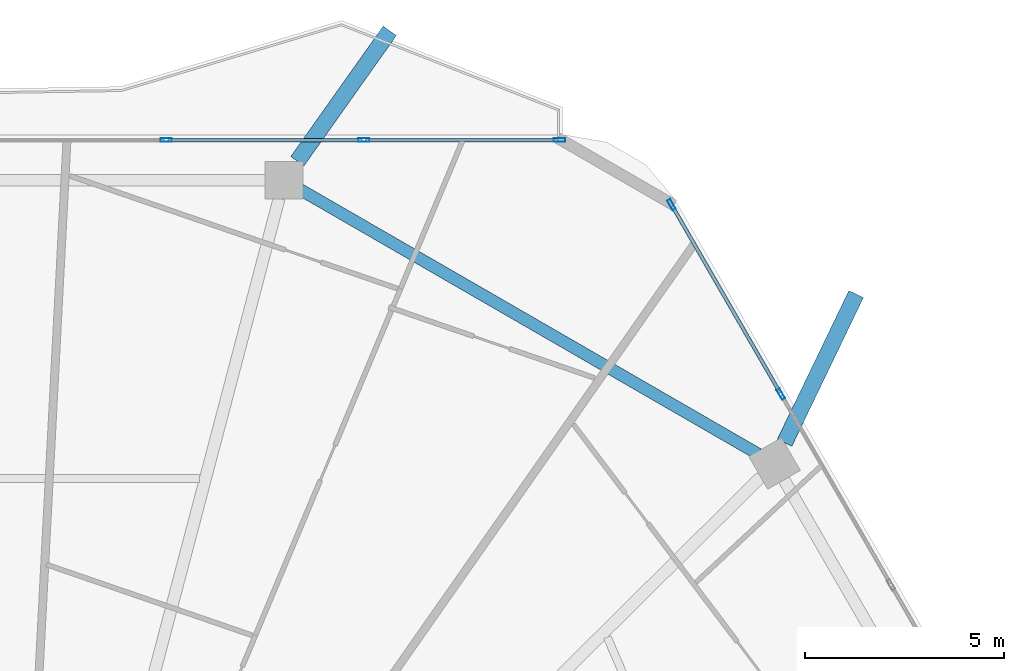
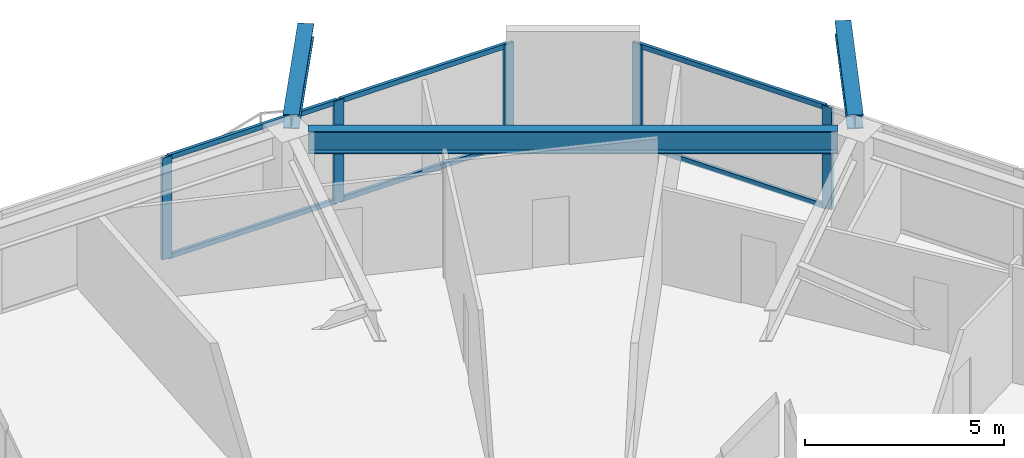
# One storey, part 17 of 27: 11 members, 3 beams, 2 elements without a shape of their own.
"""IFC4 building model written with IfcOpenShell, lengths in metres."""

from ifc_helpers import new_model, si_unit, direction, frame, origin, origin_2d, place, context, subcontext, project, spatial, hollow_rectangle, i_section, extrude, material, material_profile, profile_set, type_object, element, aggregate, save


model = new_model("IFC4")

# Units and contexts
model_context = context("Model", 3, precision=1e-05, world=origin(), true_north=direction((0.0, 1.0)))
body_context = subcontext(model_context, "Body", "Model", "MODEL_VIEW")
ifc_project = project(units=[si_unit("LENGTHUNIT", "METRE"), si_unit("AREAUNIT", "SQUARE_METRE"), si_unit("VOLUMEUNIT", "CUBIC_METRE"), si_unit("PLANEANGLEUNIT", "RADIAN"), si_unit("MASSUNIT", "GRAM", prefix="KILO")], contexts=[model_context])

# Site, building, storey
site_placement = place(None, origin())
site = spatial("IfcSite", under=ifc_project, at=site_placement, CompositionType="ELEMENT")
building_placement = place(site_placement, origin())
building = spatial("IfcBuilding", under=site, at=building_placement, Name="Zuhravey Tower", CompositionType="ELEMENT")
storey_placement = place(building_placement, frame((0.0, 0.0, 218.800048828125)))
storey = spatial("IfcBuildingStorey", under=building, at=storey_placement, Name="L55", CompositionType="ELEMENT", Elevation=218.800048828125)

# Curtain wall, members
ifc_material_1 = material(Name="Thermally broken anodised aluminium", Category="aluminium")
curtain_wall_type = type_object("IfcCurtainWallType", Name="Zone 1-2 Residential Curtain Wall CW3", PredefinedType="NOTDEFINED", material=ifc_material_1)
curtain_wall_1_placement = place(storey_placement, origin())
curtain_wall_1 = element("IfcCurtainWall", 1, at=curtain_wall_1_placement, inside=storey, type_object=curtain_wall_type, Name="L55 CW3 CW-L55-F2-2", PredefinedType="NOTDEFINED")
ifc_material_2 = material(Name="Anodised aluminium", Category="aluminium")
ifc_material_profile_1 = material_profile(ifc_material_2, hollow_rectangle(XDim=0.090087890625, YDim=0.284912109375, WallThickness=0.0048828125, at=origin_2d()), Name="ALU-RHS-90x285x5")
ifc_profile_set_1 = profile_set([ifc_material_profile_1], Name="Anodised aluminium")
member_type_1 = type_object("IfcMemberType", Name="Curtain-Wall Mullion 90x180", PredefinedType="MULLION", material=ifc_profile_set_1)
member_1_placement = place(storey_placement, frame((39.921630859375, 59.18310546875, 0.0), z_axis=(0.0, 0.0, 1.0), x_axis=(0.0, 1.0, 0.0)))
member_1 = element("IfcMember", 2, at=member_1_placement, type_object=member_type_1, Name="CW3 mullion 2", PredefinedType="MULLION", context=body_context, shape_type="SweptSolid", body=[
    extrude(hollow_rectangle(XDim=0.090087890625, YDim=0.284912109375, WallThickness=0.0048828125, at=origin_2d()), origin(), (0.0, 0.0, 1.0), 3.1220703125),
])
member_2_placement = place(storey_placement, frame((44.891357421875, 59.18310546875, 0.0), z_axis=(0.0, 0.0, 1.0), x_axis=(0.0, 1.0, 0.0)))
member_2 = element("IfcMember", 3, at=member_2_placement, type_object=member_type_1, Name="CW3 mullion 3", PredefinedType="MULLION", context=body_context, shape_type="SweptSolid", body=[
    extrude(hollow_rectangle(XDim=0.090087890625, YDim=0.284912109375, WallThickness=0.0048828125, at=origin_2d()), origin(), (0.0, 0.0, 1.0), 3.1220703125),
])
member_3_placement = place(storey_placement, frame((49.816162109375, 59.18310546875, 0.0), z_axis=(0.0, 0.0, 1.0), x_axis=(0.0, 1.0, 0.0)))
member_3 = element("IfcMember", 4, at=member_3_placement, type_object=member_type_1, Name="CW3 mullion 4", PredefinedType="MULLION", context=body_context, shape_type="SweptSolid", body=[
    extrude(hollow_rectangle(XDim=0.090087890625, YDim=0.284912109375, WallThickness=0.0048828125, at=origin_2d()), origin(), (0.0, 0.0, 1.0), 3.1220703125),
])

curtain_wall_2_placement = place(storey_placement, origin())
curtain_wall_2 = element("IfcCurtainWall", 5, at=curtain_wall_2_placement, inside=storey, type_object=curtain_wall_type, Name="L55 CW3 CW-L55-F1-1", PredefinedType="NOTDEFINED")
member_4_placement = place(storey_placement, frame((52.63330078125, 57.556640625, 0.0), z_axis=(0.0, 0.0, 1.0), x_axis=(0.866025138215, 0.500000459979, 0.0)))
member_4 = element("IfcMember", 6, at=member_4_placement, type_object=member_type_1, Name="CW3 mullion 1", PredefinedType="MULLION", context=body_context, shape_type="SweptSolid", body=[
    extrude(hollow_rectangle(XDim=0.090087890625, YDim=0.284912109375, WallThickness=0.0048828125, at=origin_2d()), origin(), (0.0, 0.0, 1.0), 3.1220703125),
])
member_5_placement = place(storey_placement, frame((55.3828125, 52.7939453125, 0.0), z_axis=(0.0, 0.0, 1.0), x_axis=(0.866025138215, 0.500000459979, 0.0)))
member_5 = element("IfcMember", 7, at=member_5_placement, type_object=member_type_1, Name="CW3 mullion 2", PredefinedType="MULLION", context=body_context, shape_type="SweptSolid", body=[
    extrude(hollow_rectangle(XDim=0.090087890625, YDim=0.284912109375, WallThickness=0.0048828125, at=origin_2d()), origin(), (0.0, 0.0, 1.0), 3.1220703125),
])

# Member
ifc_material_profile_2 = material_profile(ifc_material_2, hollow_rectangle(XDim=0.090087890625, YDim=0.14990234375, WallThickness=0.0048828125, at=origin_2d()), Name="ALU-RHS-90x150x5")
ifc_profile_set_2 = profile_set([ifc_material_profile_2], Name="Anodised aluminium")
member_type_2 = type_object("IfcMemberType", Name="Curtain-Wall Transom 90x150", PredefinedType="USERDEFINED", material=ifc_profile_set_2)
member_6_placement = place(storey_placement, frame((39.966796875, 59.18310546875, 0.044921875), z_axis=(1.0, 0.0, 0.0), x_axis=(0.0, 1.0, 0.0)))
member_6 = element("IfcMember", 8, at=member_6_placement, type_object=member_type_2, Name="CW3 transom 2.1", ObjectType="TRANSOM", PredefinedType="USERDEFINED", context=body_context, shape_type="SweptSolid", body=[
    extrude(hollow_rectangle(XDim=0.090087890625, YDim=0.14990234375, WallThickness=0.0048828125, at=origin_2d()), origin(), (0.0, 0.0, 1.0), 4.879638671875),
])

member_7_placement = place(storey_placement, frame((39.966796875, 59.18310546875, 3.076904296875), z_axis=(1.0, 0.0, 0.0), x_axis=(0.0, 1.0, 0.0)))
member_7 = element("IfcMember", 9, at=member_7_placement, type_object=member_type_2, Name="CW3 transom 2.2", ObjectType="TRANSOM", PredefinedType="USERDEFINED", context=body_context, shape_type="SweptSolid", body=[
    extrude(hollow_rectangle(XDim=0.090087890625, YDim=0.14990234375, WallThickness=0.0048828125, at=origin_2d()), origin(), (0.0, 0.0, 1.0), 4.879638671875),
])

member_8_placement = place(storey_placement, frame((44.936279296875, 59.18310546875, 0.044921875), z_axis=(1.0, 0.0, 0.0), x_axis=(0.0, 1.0, 0.0)))
member_8 = element("IfcMember", 10, at=member_8_placement, type_object=member_type_2, Name="CW3 transom 3.1", ObjectType="TRANSOM", PredefinedType="USERDEFINED", context=body_context, shape_type="SweptSolid", body=[
    extrude(hollow_rectangle(XDim=0.090087890625, YDim=0.14990234375, WallThickness=0.0048828125, at=origin_2d()), origin(), (0.0, 0.0, 1.0), 4.834716796875),
])

member_9_placement = place(storey_placement, frame((44.936279296875, 59.18310546875, 3.076904296875), z_axis=(1.0, 0.0, 0.0), x_axis=(0.0, 1.0, 0.0)))
member_9 = element("IfcMember", 11, at=member_9_placement, type_object=member_type_2, Name="CW3 transom 3.2", ObjectType="TRANSOM", PredefinedType="USERDEFINED", context=body_context, shape_type="SweptSolid", body=[
    extrude(hollow_rectangle(XDim=0.090087890625, YDim=0.14990234375, WallThickness=0.0048828125, at=origin_2d()), origin(), (0.0, 0.0, 1.0), 4.834716796875),
])

aggregate(curtain_wall_1, [member_1, member_2, member_3, member_6, member_7, member_8, member_9])

member_10_placement = place(storey_placement, frame((52.65576171875, 57.517578125, 0.044921875), z_axis=(0.499993332629, -0.866029253159, 0.0), x_axis=(0.866029253159, 0.499993332629, 0.0)))
member_10 = element("IfcMember", 12, at=member_10_placement, type_object=member_type_2, Name="CW3 transom 1.1", ObjectType="TRANSOM", PredefinedType="USERDEFINED", context=body_context, shape_type="SweptSolid", body=[
    extrude(hollow_rectangle(XDim=0.090087890625, YDim=0.14990234375, WallThickness=0.0048828125, at=origin_2d()), origin(), (0.0, 0.0, 1.0), 5.4091796875),
])

member_11_placement = place(storey_placement, frame((52.65576171875, 57.517578125, 3.076904296875), z_axis=(0.499993332629, -0.866029253159, 0.0), x_axis=(0.866029253159, 0.499993332629, 0.0)))
member_11 = element("IfcMember", 13, at=member_11_placement, type_object=member_type_2, Name="CW3 transom 1.2", ObjectType="TRANSOM", PredefinedType="USERDEFINED", context=body_context, shape_type="SweptSolid", body=[
    extrude(hollow_rectangle(XDim=0.090087890625, YDim=0.14990234375, WallThickness=0.0048828125, at=origin_2d()), origin(), (0.0, 0.0, 1.0), 5.4091796875),
])

aggregate(curtain_wall_2, [member_4, member_5, member_10, member_11])

# Beams
ifc_material_3 = material(Name="Steel SM460", Category="steel")
ifc_material_profile_3 = material_profile(ifc_material_3, i_section(OverallWidth=0.406982421875, OverallDepth=0.427978515625, WebThickness=0.02001953125, FlangeThickness=0.034912109375, at=origin_2d()), Name="H-428x407x20x35")
ifc_profile_set_3 = profile_set([ifc_material_profile_3], Name="Steel SM460")
beam_type_1 = type_object("IfcBeamType", Name="Exoskeleton Node Tie Beam H428x407", PredefinedType="BEAM", material=ifc_profile_set_3)
beam_1_placement = place(storey_placement, frame((55.4765625, 51.568115234375, 3.3359375), z_axis=(0.433847451393, 0.900986342249, 0.0), x_axis=(-0.900986342249, 0.433847451393, 0.0)))
element("IfcBeam", 14, at=beam_1_placement, inside=storey, type_object=beam_type_1, Name="L55 Exoskeleton Node Tie NT1-02", PredefinedType="BEAM", context=body_context, shape_type="SweptSolid", body=[
    extrude(i_section(OverallWidth=0.406982421875, OverallDepth=0.427978515625, WebThickness=0.02001953125, FlangeThickness=0.034912109375, at=origin_2d()), origin(), (0.0, 0.0, 1.0), 4.150634765625),
])
beam_2_placement = place(storey_placement, frame((43.22119140625, 58.6513671875, 3.3359375), z_axis=(0.578379549455, 0.815767795866, 0.0), x_axis=(-0.815767795866, 0.578379549455, 0.0)))
element("IfcBeam", 15, at=beam_2_placement, inside=storey, type_object=beam_type_1, Name="L55 Exoskeleton Node Tie NT1-03", PredefinedType="BEAM", context=body_context, shape_type="SweptSolid", body=[
    extrude(i_section(OverallWidth=0.406982421875, OverallDepth=0.427978515625, WebThickness=0.02001953125, FlangeThickness=0.034912109375, at=origin_2d()), origin(), (0.0, 0.0, 1.0), 4.020263671875),
])
ifc_material_4 = material(Name="Steel SM355", Category="steel")
ifc_material_profile_4 = material_profile(ifc_material_4, i_section(OverallWidth=0.300048828125, OverallDepth=0.679931640625, WebThickness=0.012939453125, FlangeThickness=0.02197265625, at=origin_2d()), Name="H-680x300x13x22")
ifc_profile_set_4 = profile_set([ifc_material_profile_4], Name="Steel SM355")
beam_type_2 = type_object("IfcBeamType", Name="Perimeter Ring Beam H680x300", PredefinedType="BEAM", material=ifc_profile_set_4)
beam_3_placement = place(storey_placement, frame((54.8115234375, 51.28564453125, 3.2099609375), z_axis=(-0.866029041019, 0.499993700073, 0.0), x_axis=(-0.499993700073, -0.866029041019, 0.0)))
element("IfcBeam", 16, at=beam_3_placement, inside=storey, type_object=beam_type_2, Name="L55 PB2 BM-L55-PB-02", PredefinedType="BEAM", context=body_context, shape_type="SweptSolid", body=[
    extrude(i_section(OverallWidth=0.300048828125, OverallDepth=0.679931640625, WebThickness=0.012939453125, FlangeThickness=0.02197265625, at=origin_2d()), origin(), (0.0, 0.0, 1.0), 13.297119140625),
])

save(model, "model.ifc")
